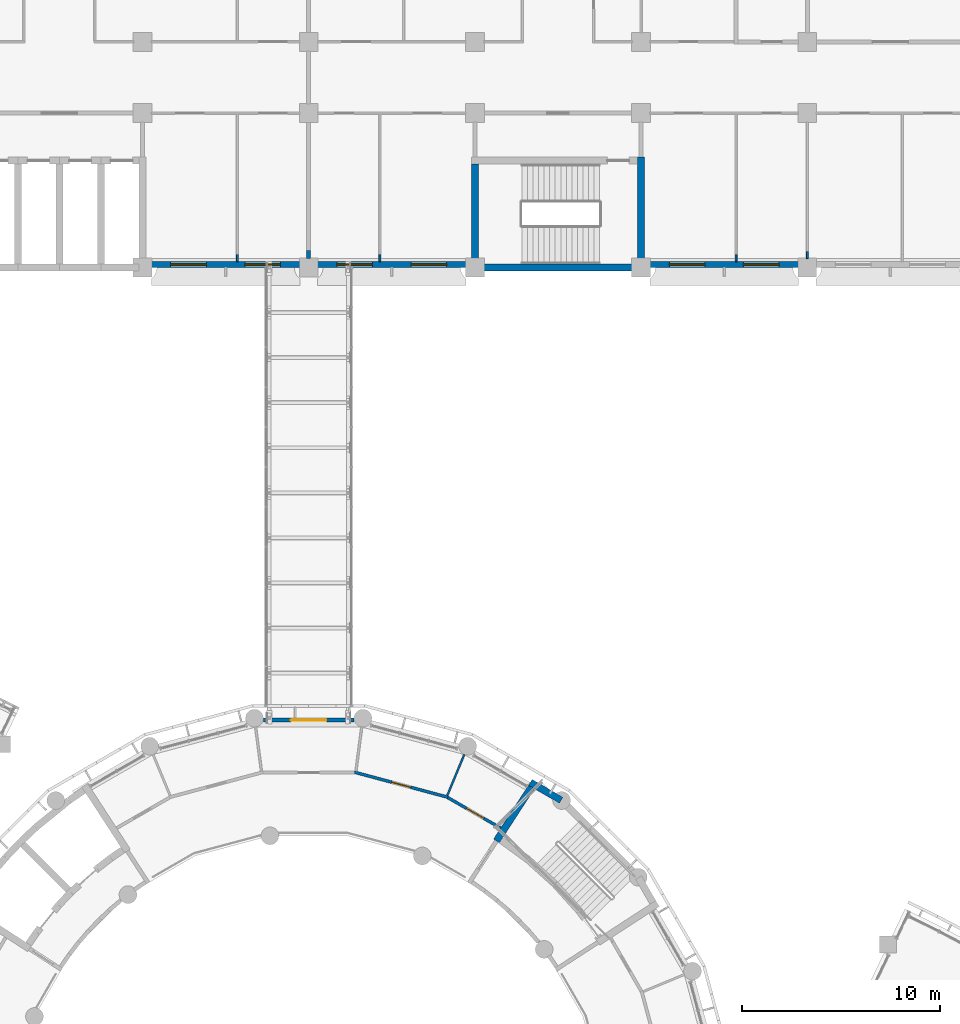
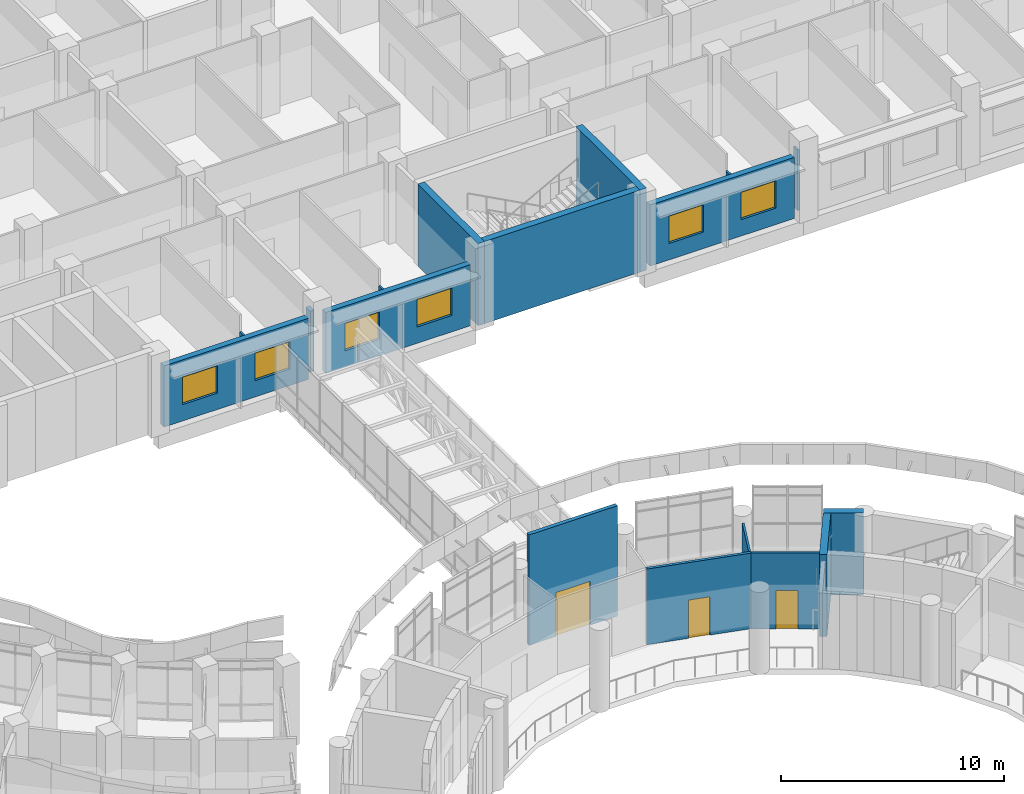
# One storey, part 71 of 136: 17 walls, 6 windows, 3 doors, 9 openings.
"""IFC4 building model written with IfcOpenShell, lengths in metres."""

from ifc_helpers import new_model, si_unit, direction, frame, frame_2d, origin, place, context, subcontext, project, spatial, rectangle, extrude, material, layer, layer_set, type_object, element, fill, save


model = new_model("IFC4")

# Units and contexts
model_context = context("Model", 3, precision=1e-05, world=origin(), true_north=direction((0.0, 1.0)))
body_context = subcontext(model_context, "Body", "Model", "MODEL_VIEW")
ifc_project = project(units=[si_unit("LENGTHUNIT", "METRE"), si_unit("AREAUNIT", "SQUARE_METRE"), si_unit("VOLUMEUNIT", "CUBIC_METRE"), si_unit("PLANEANGLEUNIT", "RADIAN"), si_unit("MASSUNIT", "GRAM", prefix="KILO")], contexts=[model_context])

# Site, building, storey
site_placement = place(None, origin())
site = spatial("IfcSite", under=ifc_project, at=site_placement, CompositionType="ELEMENT")
building_placement = place(site_placement, origin())
building = spatial("IfcBuilding", under=site, at=building_placement, Name="Bougainvillea Quay General Hospital", CompositionType="ELEMENT")
storey_placement = place(building_placement, frame((0.0, 0.0, 5.39990234375)))
storey = spatial("IfcBuildingStorey", under=building, at=storey_placement, Name="L01", CompositionType="ELEMENT", Elevation=5.39990234375)

# Wall, opening, door
ifc_material_1 = material(Name="Insulated aluminium panel cladding, anodised silver", Category="aluminium")
ifc_layer_1 = layer(ifc_material_1, 0.199951171875)
ifc_layer_set_1 = layer_set([ifc_layer_1], Name="Insulated aluminium panel cladding, anodised silver")
wall_type_1 = type_object("IfcWallType", Name="Entrance portal wall 200", PredefinedType="STANDARD", material=ifc_layer_set_1)
wall_1_placement = place(storey_placement, frame((111.490966796875, 94.719970703125, 0.0), z_axis=(0.0, 0.0, 1.0), x_axis=(-1.0, 0.0, 0.0)))
wall_1 = element("IfcWall", 1, at=wall_1_placement, inside=storey, type_object=wall_type_1, Name="External wall cw/V1/L01/e16/portal0/00a", PredefinedType="STANDARD", context=body_context, shape_type="SweptSolid", body=[
    extrude(rectangle(XDim=4.58203125, YDim=0.199951171875, at=frame_2d((2.291015625, 0.0))), origin(), (0.0, 0.0, 1.0), 6.050048828125),
])
opening_1_placement = place(wall_1_placement, frame((1.39111328125, 0.0, 0.0)))
opening_1 = element("IfcOpeningElement", 2, at=opening_1_placement, cuts=wall_1, Name="Opening L01.333", PredefinedType="OPENING", context=body_context, shape_type="SweptSolid", body=[
    extrude(rectangle(XDim=1.800048828125, YDim=2.39990234375, at=frame_2d((0.89990234375, 1.199951171875))), frame((0.0, 0.10986328125, 0.0), z_axis=(0.0, -1.0, 0.0), x_axis=(1.0, 0.0, 0.0)), (0.0, 0.0, 1.0), 0.219970703125),
])
ifc_material_2 = material(Name="Aluminium and glass door set", Category="aluminium")
door_type_1 = type_object("IfcDoorType", Name="Link bridge door 1800x2400", OperationType="DOUBLE_DOOR_SINGLE_SWING", PredefinedType="DOOR", material=ifc_material_2)
door_1_placement = place(opening_1_placement, origin())
door_1 = element("IfcDoor", 3, at=door_1_placement, inside=storey, type_object=door_type_1, Name="Link bridge door B1", OperationType="SINGLE_SWING_LEFT", OverallHeight=2.39990234375, OverallWidth=1.800048828125, PredefinedType="DOOR", context=body_context, shape_type="SweptSolid", body=[
    extrude(rectangle(XDim=1.800048828125, YDim=2.39990234375, at=frame_2d((0.89990234375, 1.199951171875))), frame((0.0, 0.02490234375, 0.0), z_axis=(0.0, -1.0, 0.0), x_axis=(1.0, 0.0, 0.0)), (0.0, 0.0, 1.0), 0.050048828125),
])
fill(opening_1, door_1)

# Wall, openings, windows
ifc_material_3 = material(Name="Pale stone rainscreen cladding on insulated masonry backing, pale stone", Category="masonry")
ifc_layer_2 = layer(ifc_material_3, 0.300048828125)
ifc_layer_set_2 = layer_set([ifc_layer_2], Name="Pale stone rainscreen cladding on insulated masonry backing, pale stone")
wall_type_2 = type_object("IfcWallType", Name="External wall pale stone rainscreen 300", PredefinedType="STANDARD", material=ifc_layer_set_2)
wall_2_placement = place(storey_placement, frame((101.25, 117.75, 0.0), z_axis=(0.0, 0.0, 1.0), x_axis=(1.0, 0.0, 0.0)))
wall_2 = element("IfcWall", 4, at=wall_2_placement, inside=storey, type_object=wall_type_2, Name="External wall wall/V4/L01/p1/04a", PredefinedType="STANDARD", context=body_context, shape_type="SweptSolid", body=[
    extrude(rectangle(XDim=7.5, YDim=0.300048828125, at=frame_2d((3.75, 0.0))), origin(), (0.0, 0.0, 1.0), 3.35009765625),
])
opening_2_placement = place(wall_2_placement, frame((0.97509765625, 0.0, 0.89990234375)))
opening_2 = element("IfcOpeningElement", 5, at=opening_2_placement, cuts=wall_2, Name="Opening W1", PredefinedType="OPENING", context=body_context, shape_type="SweptSolid", body=[
    extrude(rectangle(XDim=1.800048828125, YDim=1.5, at=frame_2d((0.89990234375, 0.75))), frame((0.0, 0.159912109375, 0.0), z_axis=(0.0, -1.0, 0.0), x_axis=(1.0, 0.0, 0.0)), (0.0, 0.0, 1.0), 0.320068359375),
])
opening_3_placement = place(wall_2_placement, frame((4.72509765625, 0.0, 0.89990234375)))
opening_3 = element("IfcOpeningElement", 6, at=opening_3_placement, cuts=wall_2, Name="Opening W1", PredefinedType="OPENING", context=body_context, shape_type="SweptSolid", body=[
    extrude(rectangle(XDim=1.800048828125, YDim=1.5, at=frame_2d((0.89990234375, 0.75))), frame((0.0, 0.159912109375, 0.0), z_axis=(0.0, -1.0, 0.0), x_axis=(1.0, 0.0, 0.0)), (0.0, 0.0, 1.0), 0.320068359375),
])
ifc_material_4 = material(Name="Aluminium window frame with low-e double glazed unit", Category="aluminium")
window_type = type_object("IfcWindowType", Name="Window W1 1800x1500", PartitioningType="DOUBLE_PANEL_VERTICAL", PredefinedType="WINDOW", material=ifc_material_4)
window_1_placement = place(opening_2_placement, origin())
window_1 = element("IfcWindow", 7, at=window_1_placement, inside=storey, type_object=window_type, Name="Window W1 1", OverallHeight=1.5, OverallWidth=1.800048828125, PartitioningType="SINGLE_PANEL", PredefinedType="WINDOW", context=body_context, shape_type="SweptSolid", body=[
    extrude(rectangle(XDim=1.800048828125, YDim=1.5, at=frame_2d((0.89990234375, 0.75))), frame((0.0, 0.030029296875, 0.0), z_axis=(0.0, -1.0, 0.0), x_axis=(1.0, 0.0, 0.0)), (0.0, 0.0, 1.0), 0.06005859375),
])
fill(opening_2, window_1)
window_2_placement = place(opening_3_placement, origin())
window_2 = element("IfcWindow", 8, at=window_2_placement, inside=storey, type_object=window_type, Name="Window W1 2", OverallHeight=1.5, OverallWidth=1.800048828125, PartitioningType="SINGLE_PANEL", PredefinedType="WINDOW", context=body_context, shape_type="SweptSolid", body=[
    extrude(rectangle(XDim=1.800048828125, YDim=1.5, at=frame_2d((0.89990234375, 0.75))), frame((0.0, 0.030029296875, 0.0), z_axis=(0.0, -1.0, 0.0), x_axis=(1.0, 0.0, 0.0)), (0.0, 0.0, 1.0), 0.06005859375),
])
fill(opening_3, window_2)

wall_3_placement = place(storey_placement, frame((109.64990234375, 117.75, 0.0), z_axis=(0.0, 0.0, 1.0), x_axis=(1.0, 0.0, 0.0)))
wall_3 = element("IfcWall", 9, at=wall_3_placement, inside=storey, type_object=wall_type_2, Name="External wall wall/V4/L01/p1/04b", PredefinedType="STANDARD", context=body_context, shape_type="SweptSolid", body=[
    extrude(rectangle(XDim=7.5, YDim=0.300048828125, at=frame_2d((3.75, 0.0))), origin(), (0.0, 0.0, 1.0), 3.35009765625),
])
opening_4_placement = place(wall_3_placement, frame((0.97509765625, 0.0, 0.89990234375)))
opening_4 = element("IfcOpeningElement", 10, at=opening_4_placement, cuts=wall_3, Name="Opening W1", PredefinedType="OPENING", context=body_context, shape_type="SweptSolid", body=[
    extrude(rectangle(XDim=1.800048828125, YDim=1.5, at=frame_2d((0.89990234375, 0.75))), frame((0.0, 0.159912109375, 0.0), z_axis=(0.0, -1.0, 0.0), x_axis=(1.0, 0.0, 0.0)), (0.0, 0.0, 1.0), 0.320068359375),
])
opening_5_placement = place(wall_3_placement, frame((4.72509765625, 0.0, 0.89990234375)))
opening_5 = element("IfcOpeningElement", 11, at=opening_5_placement, cuts=wall_3, Name="Opening W1", PredefinedType="OPENING", context=body_context, shape_type="SweptSolid", body=[
    extrude(rectangle(XDim=1.800048828125, YDim=1.5, at=frame_2d((0.89990234375, 0.75))), frame((0.0, 0.159912109375, 0.0), z_axis=(0.0, -1.0, 0.0), x_axis=(1.0, 0.0, 0.0)), (0.0, 0.0, 1.0), 0.320068359375),
])
window_3_placement = place(opening_4_placement, origin())
window_3 = element("IfcWindow", 12, at=window_3_placement, inside=storey, type_object=window_type, Name="Window W1 1", OverallHeight=1.5, OverallWidth=1.800048828125, PartitioningType="SINGLE_PANEL", PredefinedType="WINDOW", context=body_context, shape_type="SweptSolid", body=[
    extrude(rectangle(XDim=1.800048828125, YDim=1.5, at=frame_2d((0.89990234375, 0.75))), frame((0.0, 0.030029296875, 0.0), z_axis=(0.0, -1.0, 0.0), x_axis=(1.0, 0.0, 0.0)), (0.0, 0.0, 1.0), 0.06005859375),
])
fill(opening_4, window_3)
window_4_placement = place(opening_5_placement, origin())
window_4 = element("IfcWindow", 13, at=window_4_placement, inside=storey, type_object=window_type, Name="Window W1 2", OverallHeight=1.5, OverallWidth=1.800048828125, PartitioningType="SINGLE_PANEL", PredefinedType="WINDOW", context=body_context, shape_type="SweptSolid", body=[
    extrude(rectangle(XDim=1.800048828125, YDim=1.5, at=frame_2d((0.89990234375, 0.75))), frame((0.0, 0.030029296875, 0.0), z_axis=(0.0, -1.0, 0.0), x_axis=(1.0, 0.0, 0.0)), (0.0, 0.0, 1.0), 0.06005859375),
])
fill(opening_5, window_4)

wall_4_placement = place(storey_placement, frame((126.449951171875, 117.75, 0.0), z_axis=(0.0, 0.0, 1.0), x_axis=(1.0, 0.0, 0.0)))
wall_4 = element("IfcWall", 14, at=wall_4_placement, inside=storey, type_object=wall_type_2, Name="External wall wall/V4/L01/p1/04c", PredefinedType="STANDARD", context=body_context, shape_type="SweptSolid", body=[
    extrude(rectangle(XDim=7.5, YDim=0.300048828125, at=frame_2d((3.75, 0.0))), origin(), (0.0, 0.0, 1.0), 3.35009765625),
])
opening_6_placement = place(wall_4_placement, frame((0.97509765625, 0.0, 0.89990234375)))
opening_6 = element("IfcOpeningElement", 15, at=opening_6_placement, cuts=wall_4, Name="Opening W1", PredefinedType="OPENING", context=body_context, shape_type="SweptSolid", body=[
    extrude(rectangle(XDim=1.800048828125, YDim=1.5, at=frame_2d((0.89990234375, 0.75))), frame((0.0, 0.159912109375, 0.0), z_axis=(0.0, -1.0, 0.0), x_axis=(1.0, 0.0, 0.0)), (0.0, 0.0, 1.0), 0.320068359375),
])
opening_7_placement = place(wall_4_placement, frame((4.72509765625, 0.0, 0.89990234375)))
opening_7 = element("IfcOpeningElement", 16, at=opening_7_placement, cuts=wall_4, Name="Opening W1", PredefinedType="OPENING", context=body_context, shape_type="SweptSolid", body=[
    extrude(rectangle(XDim=1.800048828125, YDim=1.5, at=frame_2d((0.89990234375, 0.75))), frame((0.0, 0.159912109375, 0.0), z_axis=(0.0, -1.0, 0.0), x_axis=(1.0, 0.0, 0.0)), (0.0, 0.0, 1.0), 0.320068359375),
])
window_5_placement = place(opening_6_placement, origin())
window_5 = element("IfcWindow", 17, at=window_5_placement, inside=storey, type_object=window_type, Name="Window W1 1", OverallHeight=1.5, OverallWidth=1.800048828125, PartitioningType="SINGLE_PANEL", PredefinedType="WINDOW", context=body_context, shape_type="SweptSolid", body=[
    extrude(rectangle(XDim=1.800048828125, YDim=1.5, at=frame_2d((0.89990234375, 0.75))), frame((0.0, 0.030029296875, 0.0), z_axis=(0.0, -1.0, 0.0), x_axis=(1.0, 0.0, 0.0)), (0.0, 0.0, 1.0), 0.06005859375),
])
fill(opening_6, window_5)
window_6_placement = place(opening_7_placement, origin())
window_6 = element("IfcWindow", 18, at=window_6_placement, inside=storey, type_object=window_type, Name="Window W1 2", OverallHeight=1.5, OverallWidth=1.800048828125, PartitioningType="SINGLE_PANEL", PredefinedType="WINDOW", context=body_context, shape_type="SweptSolid", body=[
    extrude(rectangle(XDim=1.800048828125, YDim=1.5, at=frame_2d((0.89990234375, 0.75))), frame((0.0, 0.030029296875, 0.0), z_axis=(0.0, -1.0, 0.0), x_axis=(1.0, 0.0, 0.0)), (0.0, 0.0, 1.0), 0.06005859375),
])
fill(opening_7, window_6)

# Walls
ifc_material_5 = material(Name="Gypsum board partition on steel studs", Category="steel")
ifc_layer_3 = layer(ifc_material_5, 0.10009765625)
ifc_layer_set_3 = layer_set([ifc_layer_3], Name="Gypsum board partition on steel studs")
wall_type_3 = type_object("IfcWallType", Name="Partition 100 Gypsum board partition", PredefinedType="PARTITIONING", material=ifc_layer_set_3)
for number, where, z_axis, x_axis, name in (
    (19, (105.597900390625, 117.89990234375, 0.0), (0.0, 0.0, 1.0), (0.0, 1.0, 0.0), "Partition 100 mm"),
    (20, (112.798095703125, 117.89990234375, 0.0), (0.0, 0.0, 1.0), (0.0, 1.0, 0.0), "Partition 100 mm"),
    (21, (130.800048828125, 117.89990234375, 0.0), (0.0, 0.0, 1.0), (0.0, 1.0, 0.0), "Partition 100 mm"),
):
    element("IfcWall", number, at=place(storey_placement, frame(where, z_axis=z_axis, x_axis=x_axis)), inside=storey, type_object=wall_type_3, Name=name, PredefinedType="PARTITIONING", context=body_context, shape_type="SweptSolid", body=[
        extrude(rectangle(XDim=0.35009765625, YDim=0.10009765625, at=frame_2d((0.175048828125, 0.0))), origin(), (0.0, 0.0, 1.0), 3.330078125),
    ])
wall_5_placement = place(storey_placement, frame((134.39990234375, 118.050048828125, 0.0), z_axis=(0.0, 0.0, 1.0), x_axis=(0.0, 1.0, 0.0)))
element("IfcWall", 22, at=wall_5_placement, inside=storey, type_object=wall_type_3, Name="Partition 100 mm", PredefinedType="PARTITIONING", context=body_context, shape_type="SweptSolid", body=[
    extrude(rectangle(XDim=0.349853515625, YDim=0.10009765625, at=frame_2d((0.1748046875, 0.0))), origin(), (0.0, 0.0, 1.0), 3.330078125),
])
ifc_layer_4 = layer(ifc_material_5, 0.10009765625)
ifc_layer_set_4 = layer_set([ifc_layer_4], Name="Gypsum board partition on steel studs")
wall_type_4 = type_object("IfcWallType", Name="Partition 100 Gypsum board partition EI 30", PredefinedType="PARTITIONING", material=ifc_layer_set_4)
wall_6_placement = place(storey_placement, frame((116.206298828125, 90.915771484375, 0.0), z_axis=(0.0, 0.0, 1.0), x_axis=(0.382829249812, 0.923819119465, 0.0)))
element("IfcWall", 23, at=wall_6_placement, inside=storey, type_object=wall_type_4, Name="Partition 100 mm EI 30", PredefinedType="PARTITIONING", context=body_context, shape_type="SweptSolid", body=[
    extrude(rectangle(XDim=2.242919921875, YDim=0.10009765625, at=frame_2d((1.12158203125, 0.0))), origin(), (0.0, 0.0, 1.0), 4.150146484375),
])

# Wall, opening, door
ifc_material_6 = material(Name="Gypsum board partition on steel studs, insulated", Category="steel")
ifc_layer_5 = layer(ifc_material_6, 0.14990234375)
ifc_layer_set_5 = layer_set([ifc_layer_5], Name="Gypsum board partition on steel studs, insulated")
wall_type_5 = type_object("IfcWallType", Name="Partition 150 Gypsum board partition EI 30", PredefinedType="PARTITIONING", material=ifc_layer_set_5)
wall_7_placement = place(storey_placement, frame((111.506591796875, 92.09130859375, 0.0), z_axis=(0.0, 0.0, 1.0), x_axis=(0.965901416029, -0.258910128254, 0.0)))
wall_7 = element("IfcWall", 24, at=wall_7_placement, inside=storey, type_object=wall_type_5, Name="Partition 150 mm EI 30", PredefinedType="PARTITIONING", context=body_context, shape_type="SweptSolid", body=[
    extrude(rectangle(XDim=4.908203125, YDim=0.14990234375, at=frame_2d((2.4541015625, 0.0))), origin(), (0.0, 0.0, 1.0), 4.150146484375),
])
opening_8_placement = place(wall_7_placement, frame((1.9541015625, 0.0, 0.0)))
opening_8 = element("IfcOpeningElement", 25, at=opening_8_placement, cuts=wall_7, Name="Opening L01.294", PredefinedType="OPENING", context=body_context, shape_type="SweptSolid", body=[
    extrude(rectangle(XDim=1.0, YDim=2.10009765625, at=frame_2d((0.5, 1.050048828125))), frame((0.0, 0.0849609375, 0.0), z_axis=(0.0, -1.0, 0.0), x_axis=(1.0, 0.0, 0.0)), (0.0, 0.0, 1.0), 0.169921875),
])
ifc_material_7 = material(Name="Solid-core timber door leaf in steel frame", Category="steel")
door_type_2 = type_object("IfcDoorType", Name="Single leaf door 1000x2100 FD30S", OperationType="NOTDEFINED", PredefinedType="DOOR", material=ifc_material_7)
door_2_placement = place(opening_8_placement, origin())
door_2 = element("IfcDoor", 26, at=door_2_placement, inside=storey, type_object=door_type_2, Name="DT15 L01.294", OperationType="SINGLE_SWING_LEFT", OverallHeight=2.10009765625, OverallWidth=1.0, PredefinedType="DOOR", context=body_context, shape_type="SweptSolid", body=[
    extrude(rectangle(XDim=1.0, YDim=2.10009765625, at=frame_2d((0.5, 1.050048828125))), frame((0.0, 0.02490234375, 0.0), z_axis=(0.0, -1.0, 0.0), x_axis=(1.0, 0.0, 0.0)), (0.0, 0.0, 1.0), 0.050048828125),
])
fill(opening_8, door_2)

wall_8_placement = place(storey_placement, frame((116.22509765625, 90.81103515625, 0.0), z_axis=(0.0, 0.0, 1.0), x_axis=(0.866085584755, -0.499895749011, 0.0)))
wall_8 = element("IfcWall", 27, at=wall_8_placement, inside=storey, type_object=wall_type_5, Name="Partition 150 mm EI 30", PredefinedType="PARTITIONING", context=body_context, shape_type="SweptSolid", body=[
    extrude(rectangle(XDim=3.089599609375, YDim=0.14990234375, at=frame_2d((1.544921875, 0.0))), origin(), (0.0, 0.0, 1.0), 4.150146484375),
])
opening_9_placement = place(wall_8_placement, frame((1.105224609375, 0.0, 0.0)))
opening_9 = element("IfcOpeningElement", 28, at=opening_9_placement, cuts=wall_8, Name="Opening L01.293", PredefinedType="OPENING", context=body_context, shape_type="SweptSolid", body=[
    extrude(rectangle(XDim=1.0, YDim=2.10009765625, at=frame_2d((0.5, 1.050048828125))), frame((0.0, 0.0849609375, 0.0), z_axis=(0.0, -1.0, 0.0), x_axis=(1.0, 0.0, 0.0)), (0.0, 0.0, 1.0), 0.169921875),
])
door_3_placement = place(opening_9_placement, origin())
door_3 = element("IfcDoor", 29, at=door_3_placement, inside=storey, type_object=door_type_2, Name="DT15 L01.293", OperationType="SINGLE_SWING_RIGHT", OverallHeight=2.10009765625, OverallWidth=1.0, PredefinedType="DOOR", context=body_context, shape_type="SweptSolid", body=[
    extrude(rectangle(XDim=1.0, YDim=2.10009765625, at=frame_2d((0.5, 1.050048828125))), frame((0.0, 0.02490234375, 0.0), z_axis=(0.0, -1.0, 0.0), x_axis=(1.0, 0.0, 0.0)), (0.0, 0.0, 1.0), 0.050048828125),
])
fill(opening_9, door_3)

# Walls
ifc_material_8 = material(Name="Fire-rated autoclaved aerated block wall, plastered")
ifc_layer_6 = layer(ifc_material_8, 0.199951171875)
ifc_layer_set_6 = layer_set([ifc_layer_6], Name="Fire-rated autoclaved aerated block wall, plastered")
wall_type_6 = type_object("IfcWallType", Name="Partition 200 Fire-rated autoclaved aerated block wall EI 120", PredefinedType="SOLIDWALL", material=ifc_layer_set_6)
wall_9_placement = place(storey_placement, frame((109.197998046875, 118.050048828125, 0.0), z_axis=(0.0, 0.0, 1.0), x_axis=(0.0, 1.0, 0.0)))
element("IfcWall", 30, at=wall_9_placement, inside=storey, type_object=wall_type_6, Name="Partition 200 mm EI 120", PredefinedType="SOLIDWALL", context=body_context, shape_type="SweptSolid", body=[
    extrude(rectangle(XDim=0.39990234375, YDim=0.199951171875, at=frame_2d((0.199951171875, 0.0))), origin(), (0.0, 0.0, 1.0), 3.330078125),
])
ifc_material_9 = material(Name="Concrete C40", Category="concrete")
ifc_layer_7 = layer(ifc_material_9, 0.35009765625)
ifc_layer_set_7 = layer_set([ifc_layer_7], Name="Concrete C40")
wall_type_7 = type_object("IfcWallType", Name="RC SHEAR WALL 350 C40", PredefinedType="SHEAR", material=ifc_layer_set_7)
wall_10_placement = place(storey_placement, frame((117.60009765625, 117.425048828125, 0.0), z_axis=(0.0, 0.0, 1.0), x_axis=(0.0, 1.0, 0.0)))
element("IfcWall", 31, at=wall_10_placement, inside=storey, type_object=wall_type_7, Name="Shear wall L01", PredefinedType="SHEAR", context=body_context, shape_type="SweptSolid", body=[
    extrude(rectangle(XDim=5.39990234375, YDim=0.35009765625, at=frame_2d((2.699951171875, 0.0))), origin(), (0.0, 0.0, 1.0), 4.5),
])
wall_11_placement = place(storey_placement, frame((117.77490234375, 117.60009765625, 0.0), z_axis=(0.0, 0.0, 1.0), x_axis=(1.0, 0.0, 0.0)))
element("IfcWall", 32, at=wall_11_placement, inside=storey, type_object=wall_type_7, Name="Shear wall L01", PredefinedType="SHEAR", context=body_context, shape_type="SweptSolid", body=[
    extrude(rectangle(XDim=8.050048828125, YDim=0.35009765625, at=frame_2d((4.02490234375, 0.0))), origin(), (0.0, 0.0, 1.0), 4.5),
])
wall_12_placement = place(storey_placement, frame((118.690673828125, 88.6142578125, 0.0), z_axis=(0.0, 0.0, 1.0), x_axis=(0.544668615038, 0.838651357712, 0.0)))
element("IfcWall", 33, at=wall_12_placement, inside=storey, type_object=wall_type_7, Name="Shear wall L01", PredefinedType="SHEAR", context=body_context, shape_type="SweptSolid", body=[
    extrude(rectangle(XDim=3.248046875, YDim=0.35009765625, at=frame_2d((1.6240234375, 0.0))), origin(), (0.0, 0.0, 1.0), 4.5),
])
wall_13_placement = place(storey_placement, frame((120.403564453125, 91.572509765625, 0.0), z_axis=(0.0, 0.0, 1.0), x_axis=(0.866050214951, -0.499957023337, 0.0)))
element("IfcWall", 34, at=wall_13_placement, inside=storey, type_object=wall_type_7, Name="Shear wall L01", PredefinedType="SHEAR", context=body_context, shape_type="SweptSolid", body=[
    extrude(rectangle(XDim=1.802001953125, YDim=0.35009765625, at=frame_2d((0.90087890625, 0.0))), origin(), (0.0, 0.0, 1.0), 4.5),
])
wall_14_placement = place(storey_placement, frame((126.0, 117.425048828125, 0.0), z_axis=(0.0, 0.0, 1.0), x_axis=(0.0, 1.0, 0.0)))
element("IfcWall", 35, at=wall_14_placement, inside=storey, type_object=wall_type_7, Name="Shear wall L01", PredefinedType="SHEAR", context=body_context, shape_type="SweptSolid", body=[
    extrude(rectangle(XDim=5.75, YDim=0.35009765625, at=frame_2d((2.875, 0.0))), origin(), (0.0, 0.0, 1.0), 4.5),
])

save(model, "model.ifc")
